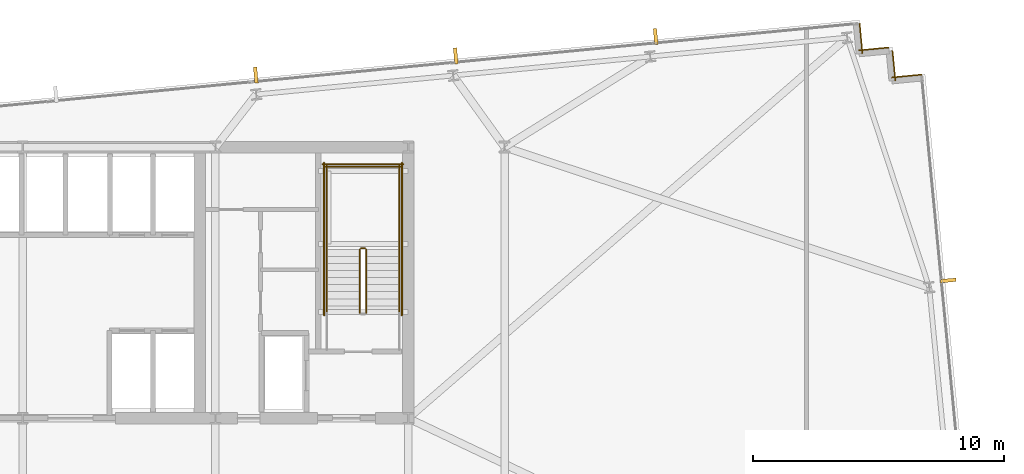
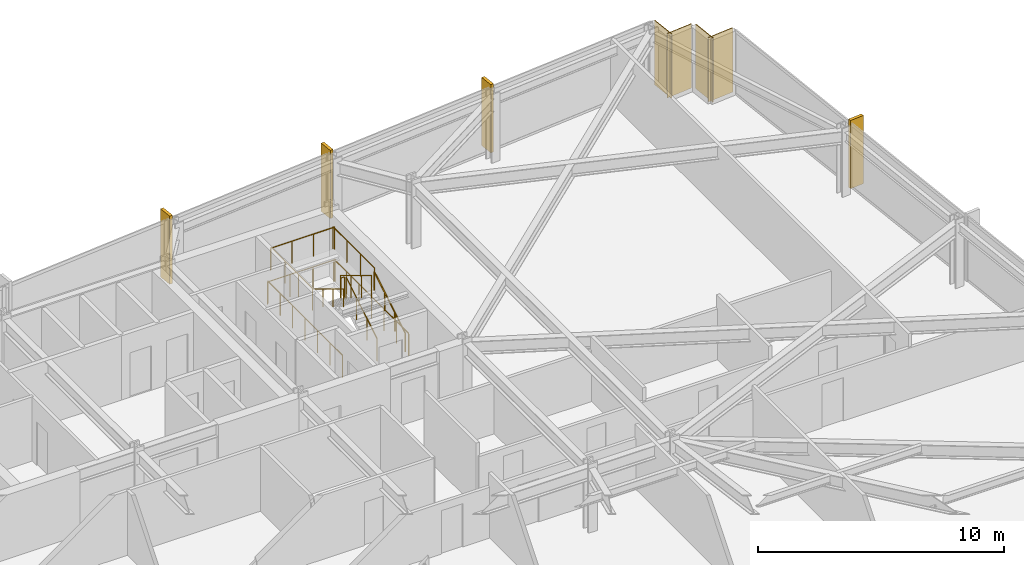
# One storey, part 33 of 33: 11 railings, 4 coverings, 4 shading devices.
"""IFC4 building model written with IfcOpenShell, lengths in metres."""

from ifc_helpers import new_model, si_unit, direction, frame, frame_2d, origin, origin_2d, place, context, subcontext, project, spatial, rectangle, circle, extrude, material, layer, layer_set, type_object, element, save


model = new_model("IFC4")

# Units and contexts
model_context = context("Model", 3, precision=1e-05, world=origin(), true_north=direction((0.0, 1.0)))
body_context = subcontext(model_context, "Body", "Model", "MODEL_VIEW")
ifc_project = project(units=[si_unit("LENGTHUNIT", "METRE"), si_unit("AREAUNIT", "SQUARE_METRE"), si_unit("VOLUMEUNIT", "CUBIC_METRE"), si_unit("PLANEANGLEUNIT", "RADIAN"), si_unit("MASSUNIT", "GRAM", prefix="KILO")], contexts=[model_context])

# Site, building, storey
site_placement = place(None, origin())
site = spatial("IfcSite", under=ifc_project, at=site_placement, CompositionType="ELEMENT")
building_placement = place(site_placement, origin())
building = spatial("IfcBuilding", under=site, at=building_placement, Name="Yelkora Congress Tower", CompositionType="ELEMENT")
storey_placement = place(building_placement, frame((0.0, 0.0, 110.10009765625)))
storey = spatial("IfcBuildingStorey", under=building, at=storey_placement, Name="L29", CompositionType="ELEMENT", Elevation=110.10009765625)

# Coverings
ifc_material_1 = material(Name="Anatolian bush-hammered limestone", Category="masonry")
ifc_layer_1 = layer(ifc_material_1, 0.0400390625)
ifc_layer_set_1 = layer_set([ifc_layer_1], Name="Anatolian bush-hammered limestone")
covering_type = type_object("IfcCoveringType", Name="COV-CLAD-SPANDREL-40", PredefinedType="CLADDING", material=ifc_layer_set_1)
for number, where, z_axis, x_axis, name in (
    (1, (71.74609375, 51.1279296875, 0.0), (0.0, 0.0, 1.0), (0.095817067274, -0.995398960025, 0.0), "L29 Anatolian Limestone Cladding EW-L29-SR11"),
    (2, (71.7138671875, 50.0546875, 0.0), (0.0, 0.0, 1.0), (0.995379537303, 0.096018626938, 0.0), "L29 Anatolian Limestone Cladding EW-L29-SR12"),
):
    element("IfcCovering", number, at=place(storey_placement, frame(where, z_axis=z_axis, x_axis=x_axis)), inside=storey, type_object=covering_type, Name=name, PredefinedType="CLADDING", context=body_context, shape_type="SweptSolid", body=[
        extrude(rectangle(XDim=1.2001953125, YDim=0.0400390625, at=frame_2d((0.60009765625, 0.0))), origin(), (0.0, 0.0, 1.0), 3.179931640625),
    ])
covering_1_placement = place(storey_placement, frame((73.0556640625, 50.04833984375, 0.0), z_axis=(0.0, 0.0, 1.0), x_axis=(0.095836473879, -0.995397091755, 0.0)))
element("IfcCovering", 3, at=covering_1_placement, inside=storey, type_object=covering_type, Name="L29 Anatolian Limestone Cladding EW-L29-SR13", PredefinedType="CLADDING", context=body_context, shape_type="SweptSolid", body=[
    extrude(rectangle(XDim=1.199951171875, YDim=0.0400390625, at=frame_2d((0.60009765625, 0.0))), origin(), (0.0, 0.0, 1.0), 3.179931640625),
])
covering_2_placement = place(storey_placement, frame((73.0234375, 48.975341796875, 0.0), z_axis=(0.0, 0.0, 1.0), x_axis=(0.995398960025, 0.095817067274, 0.0)))
element("IfcCovering", 4, at=covering_2_placement, inside=storey, type_object=covering_type, Name="L29 Anatolian Limestone Cladding EW-L29-SR14", PredefinedType="CLADDING", context=body_context, shape_type="SweptSolid", body=[
    extrude(rectangle(XDim=1.2001953125, YDim=0.0400390625, at=frame_2d((0.60009765625, 0.0))), origin(), (0.0, 0.0, 1.0), 3.179931640625),
])

# Railings
ifc_material_2 = material(Name="Painted galvanised steel stair well guard with vertical infill", Category="steel")
ifc_layer_2 = layer(ifc_material_2, 0.06005859375)
ifc_layer_set_2 = layer_set([ifc_layer_2], Name="Painted galvanised steel stair well guard with vertical infill")
railing_type_1 = type_object("IfcRailingType", Name="RAIL-STAIR-GUARD-1120", PredefinedType="GUARDRAIL", material=ifc_layer_set_2)
railing_1_placement = place(storey_placement, frame((52.090087890625, 39.60009765625, 0.169921875)))
element("IfcRailing", 5, at=railing_1_placement, inside=storey, type_object=railing_type_1, Name="ST-02 L29 Stair Well Guardrail 1", PredefinedType="GUARDRAIL", context=body_context, shape_type="SweptSolid", body=[
    extrude(circle(Radius=0.02392578125, at=origin_2d()), frame((0.0, 0.0, 1.09619140625), z_axis=(0.0, 0.85478489116, 0.518982456201), x_axis=(-1.0, 0.0, 0.0)), (0.0, 0.0, 1.0), 2.9482421875),
    extrude(circle(Radius=0.02099609375, at=origin_2d()), origin(), (0.0, 0.0, 1.0), 1.072021484375),
    extrude(circle(Radius=0.02099609375, at=origin_2d()), frame((0.0, 0.840087890625, 0.510009765625)), (0.0, 0.0, 1.0), 1.072021484375),
    extrude(circle(Radius=0.02099609375, at=origin_2d()), frame((0.0, 1.679931640625, 1.02001953125)), (0.0, 0.0, 1.0), 1.072021484375),
    extrude(circle(Radius=0.02099609375, at=origin_2d()), frame((0.0, 2.52001953125, 1.530029296875)), (0.0, 0.0, 1.0), 1.072021484375),
])
railing_2_placement = place(storey_placement, frame((52.0400390625, 42.169921875, 1.699951171875)))
element("IfcRailing", 6, at=railing_2_placement, inside=storey, type_object=railing_type_1, Name="ST-02 L29 Stair Well Guardrail 2", PredefinedType="GUARDRAIL", context=body_context, shape_type="SweptSolid", body=[
    extrude(circle(Radius=0.02392578125, at=origin_2d()), frame((0.0, 0.0, 1.09619140625), z_axis=(-1.0, 0.0, 0.0), x_axis=(0.0, -1.0, 0.0)), (0.0, 0.0, 1.0), 0.16015625),
    extrude(circle(Radius=0.02099609375, at=origin_2d()), origin(), (0.0, 0.0, 1.0), 1.072021484375),
    extrude(circle(Radius=0.02099609375, at=origin_2d()), frame((-0.16015625, 0.0, 0.0)), (0.0, 0.0, 1.0), 1.072021484375),
])
for number, where, name in (
    (7, (53.409912109375, 42.1201171875, 1.699951171875), "ST-02 L29 Stair Well Guardrail 3"),
    (8, (50.510009765625, 42.1201171875, 1.699951171875), "ST-02 L29 Stair Well Guardrail 4"),
):
    element("IfcRailing", number, at=place(storey_placement, frame(where)), inside=storey, type_object=railing_type_1, Name=name, PredefinedType="GUARDRAIL", context=body_context, shape_type="SweptSolid", body=[
        extrude(circle(Radius=0.02392578125, at=origin_2d()), frame((0.0, 0.0, 1.09619140625), z_axis=(0.0, 1.0, 0.0), x_axis=(-1.0, 0.0, 0.0)), (0.0, 0.0, 1.0), 3.349853515625),
        extrude(circle(Radius=0.02099609375, at=origin_2d()), origin(), (0.0, 0.0, 1.0), 1.072021484375),
        extrude(circle(Radius=0.02099609375, at=origin_2d()), frame((0.0, 1.11669921875, 0.0)), (0.0, 0.0, 1.0), 1.072021484375),
        extrude(circle(Radius=0.02099609375, at=origin_2d()), frame((0.0, 2.233154296875, 0.0)), (0.0, 0.0, 1.0), 1.072021484375),
        extrude(circle(Radius=0.02099609375, at=origin_2d()), frame((0.0, 3.349853515625, 0.0)), (0.0, 0.0, 1.0), 1.072021484375),
    ])
railing_3_placement = place(storey_placement, frame((53.4599609375, 45.419921875, 1.699951171875)))
element("IfcRailing", 9, at=railing_3_placement, inside=storey, type_object=railing_type_1, Name="ST-02 L29 Stair Well Guardrail 5", PredefinedType="GUARDRAIL", context=body_context, shape_type="SweptSolid", body=[
    extrude(circle(Radius=0.02392578125, at=origin_2d()), frame((0.0, 0.0, 1.09619140625), z_axis=(-1.0, 0.0, 0.0), x_axis=(0.0, -1.0, 0.0)), (0.0, 0.0, 1.0), 3.0),
    extrude(circle(Radius=0.02099609375, at=origin_2d()), origin(), (0.0, 0.0, 1.0), 1.072021484375),
    extrude(circle(Radius=0.02099609375, at=origin_2d()), frame((-1.0, 0.0, 0.0)), (0.0, 0.0, 1.0), 1.072021484375),
    extrude(circle(Radius=0.02099609375, at=origin_2d()), frame((-2.0, 0.0, 0.0)), (0.0, 0.0, 1.0), 1.072021484375),
    extrude(circle(Radius=0.02099609375, at=origin_2d()), frame((-3.0, 0.0, 0.0)), (0.0, 0.0, 1.0), 1.072021484375),
])
railing_4_placement = place(storey_placement, frame((51.830078125, 42.1201171875, 1.869873046875)))
element("IfcRailing", 10, at=railing_4_placement, inside=storey, type_object=railing_type_1, Name="ST-02 L29 Stair Well Guardrail 6", PredefinedType="GUARDRAIL", context=body_context, shape_type="SweptSolid", body=[
    extrude(circle(Radius=0.02392578125, at=origin_2d()), frame((0.0, 0.0, 1.09619140625), z_axis=(0.0, -0.85478489116, 0.518982456201), x_axis=(1.0, 0.0, 0.0)), (0.0, 0.0, 1.0), 2.9482421875),
    extrude(circle(Radius=0.02099609375, at=origin_2d()), origin(), (0.0, 0.0, 1.0), 1.072021484375),
    extrude(circle(Radius=0.02099609375, at=origin_2d()), frame((0.0, -0.840087890625, 0.510009765625)), (0.0, 0.0, 1.0), 1.072021484375),
    extrude(circle(Radius=0.02099609375, at=origin_2d()), frame((0.0, -1.679931640625, 1.02001953125)), (0.0, 0.0, 1.0), 1.072021484375),
    extrude(circle(Radius=0.02099609375, at=origin_2d()), frame((0.0, -2.52001953125, 1.530029296875)), (0.0, 0.0, 1.0), 1.072021484375),
])
for number, where, name in (
    (11, (53.510009765625, 39.5, 0.0), "ST-02 L29 Stair Well Guardrail 10"),
    (12, (50.409912109375, 39.5, 0.0), "ST-02 L29 Stair Well Guardrail 11"),
):
    element("IfcRailing", number, at=place(storey_placement, frame(where)), inside=storey, type_object=railing_type_1, Name=name, PredefinedType="GUARDRAIL", context=body_context, shape_type="SweptSolid", body=[
        extrude(circle(Radius=0.02392578125, at=origin_2d()), frame((0.0, 0.0, 1.09619140625), z_axis=(0.0, 1.0, 0.0), x_axis=(-1.0, 0.0, 0.0)), (0.0, 0.0, 1.0), 6.070068359375),
        extrude(circle(Radius=0.02099609375, at=origin_2d()), origin(), (0.0, 0.0, 1.0), 1.072021484375),
        extrude(circle(Radius=0.02099609375, at=origin_2d()), frame((0.0, 1.01171875, 0.0)), (0.0, 0.0, 1.0), 1.072021484375),
        extrude(circle(Radius=0.02099609375, at=origin_2d()), frame((0.0, 2.0234375, 0.0)), (0.0, 0.0, 1.0), 1.072021484375),
        extrude(circle(Radius=0.02099609375, at=origin_2d()), frame((0.0, 3.03515625, 0.0)), (0.0, 0.0, 1.0), 1.072021484375),
        extrude(circle(Radius=0.02099609375, at=origin_2d()), frame((0.0, 4.046630859375, 0.0)), (0.0, 0.0, 1.0), 1.072021484375),
        extrude(circle(Radius=0.02099609375, at=origin_2d()), frame((0.0, 5.058349609375, 0.0)), (0.0, 0.0, 1.0), 1.072021484375),
        extrude(circle(Radius=0.02099609375, at=origin_2d()), frame((0.0, 6.070068359375, 0.0)), (0.0, 0.0, 1.0), 1.072021484375),
    ])
railing_5_placement = place(storey_placement, frame((53.56005859375, 45.52001953125, 0.0)))
element("IfcRailing", 13, at=railing_5_placement, inside=storey, type_object=railing_type_1, Name="ST-02 L29 Stair Well Guardrail 12", PredefinedType="GUARDRAIL", context=body_context, shape_type="SweptSolid", body=[
    extrude(circle(Radius=0.02392578125, at=origin_2d()), frame((0.0, 0.0, 1.09619140625), z_axis=(-1.0, 0.0, 0.0), x_axis=(0.0, -1.0, 0.0)), (0.0, 0.0, 1.0), 3.199951171875),
    extrude(circle(Radius=0.02099609375, at=origin_2d()), origin(), (0.0, 0.0, 1.0), 1.072021484375),
    extrude(circle(Radius=0.02099609375, at=origin_2d()), frame((-1.066650390625, 0.0, 0.0)), (0.0, 0.0, 1.0), 1.072021484375),
    extrude(circle(Radius=0.02099609375, at=origin_2d()), frame((-2.13330078125, 0.0, 0.0)), (0.0, 0.0, 1.0), 1.072021484375),
    extrude(circle(Radius=0.02099609375, at=origin_2d()), frame((-3.199951171875, 0.0, 0.0)), (0.0, 0.0, 1.0), 1.072021484375),
])
ifc_material_3 = material(Name="Brushed stainless steel tubular handrail", Category="steel")
ifc_layer_3 = layer(ifc_material_3, 0.050048828125)
ifc_layer_set_3 = layer_set([ifc_layer_3], Name="Brushed stainless steel tubular handrail")
railing_type_2 = type_object("IfcRailingType", Name="RAIL-STAIR-HAND-920", PredefinedType="HANDRAIL", material=ifc_layer_set_3)
railing_6_placement = place(storey_placement, frame((53.409912109375, 39.60009765625, 0.169921875)))
element("IfcRailing", 14, at=railing_6_placement, inside=storey, type_object=railing_type_2, Name="ST-02 L29 Pitch Handrail 1", PredefinedType="HANDRAIL", context=body_context, shape_type="SweptSolid", body=[
    extrude(circle(Radius=0.02392578125, at=origin_2d()), frame((0.0, 0.0, 0.89599609375), z_axis=(0.0, 0.85478489116, 0.518982456201), x_axis=(-1.0, 0.0, 0.0)), (0.0, 0.0, 1.0), 2.9482421875),
    extrude(circle(Radius=0.02099609375, at=origin_2d()), origin(), (0.0, 0.0, 1.0), 0.871826171875),
    extrude(circle(Radius=0.02099609375, at=origin_2d()), frame((0.0, 0.840087890625, 0.510009765625)), (0.0, 0.0, 1.0), 0.871826171875),
    extrude(circle(Radius=0.02099609375, at=origin_2d()), frame((0.0, 1.679931640625, 1.02001953125)), (0.0, 0.0, 1.0), 0.871826171875),
    extrude(circle(Radius=0.02099609375, at=origin_2d()), frame((0.0, 2.52001953125, 1.530029296875)), (0.0, 0.0, 1.0), 0.871826171875),
])
railing_7_placement = place(storey_placement, frame((50.510009765625, 42.1201171875, 1.869873046875)))
element("IfcRailing", 15, at=railing_7_placement, inside=storey, type_object=railing_type_2, Name="ST-02 L29 Pitch Handrail 2", PredefinedType="HANDRAIL", context=body_context, shape_type="SweptSolid", body=[
    extrude(circle(Radius=0.02392578125, at=origin_2d()), frame((0.0, 0.0, 0.89599609375), z_axis=(0.0, -0.85478489116, 0.518982456201), x_axis=(1.0, 0.0, 0.0)), (0.0, 0.0, 1.0), 2.9482421875),
    extrude(circle(Radius=0.02099609375, at=origin_2d()), origin(), (0.0, 0.0, 1.0), 0.871826171875),
    extrude(circle(Radius=0.02099609375, at=origin_2d()), frame((0.0, -0.840087890625, 0.510009765625)), (0.0, 0.0, 1.0), 0.871826171875),
    extrude(circle(Radius=0.02099609375, at=origin_2d()), frame((0.0, -1.679931640625, 1.02001953125)), (0.0, 0.0, 1.0), 0.871826171875),
    extrude(circle(Radius=0.02099609375, at=origin_2d()), frame((0.0, -2.52001953125, 1.530029296875)), (0.0, 0.0, 1.0), 0.871826171875),
])

# Shading devices
ifc_material_4 = material(Name="Champagne anodised aluminium", Category="aluminium")
ifc_layer_4 = layer(ifc_material_4, 3.39990234375)
ifc_layer_set_4 = layer_set([ifc_layer_4], Name="Champagne anodised aluminium")
shading_device_type = type_object("IfcShadingDeviceType", Name="SHD-FIN-ALU-640", PredefinedType="USERDEFINED", material=ifc_layer_set_4)
for number, where, z_axis, x_axis, name in (
    (16, (47.68896484375, 49.072509765625, -0.030029296875), (0.0, 0.0, 1.0), (0.995396198367, 0.09584575252, 0.0), "L29 Vertical Anodised Solar Fin 10-4"),
    (17, (55.65478515625, 49.839599609375, -0.030029296875), (0.0, 0.0, 1.0), (0.995396198367, 0.09584575252, 0.0), "L29 Vertical Anodised Solar Fin 10-5"),
    (18, (63.620849609375, 50.606689453125, -0.030029296875), (0.0, 0.0, 1.0), (0.995396198367, 0.09584575252, 0.0), "L29 Vertical Anodised Solar Fin 10-6"),
    (19, (75.268798828125, 40.888427734375, -0.030029296875), (0.0, 0.0, 1.0), (0.09584575252, -0.995396198367, 0.0), "L29 Vertical Anodised Solar Fin 15-1"),
):
    element("IfcShadingDevice", number, at=place(storey_placement, frame(where, z_axis=z_axis, x_axis=x_axis)), inside=storey, type_object=shading_device_type, Name=name, ObjectType="FIN", PredefinedType="USERDEFINED", context=body_context, shape_type="SweptSolid", body=[
        extrude(rectangle(XDim=0.139892578125, YDim=0.639892578125, at=origin_2d()), origin(), (0.0, 0.0, 1.0), 3.3798828125),
    ])

save(model, "model.ifc")
